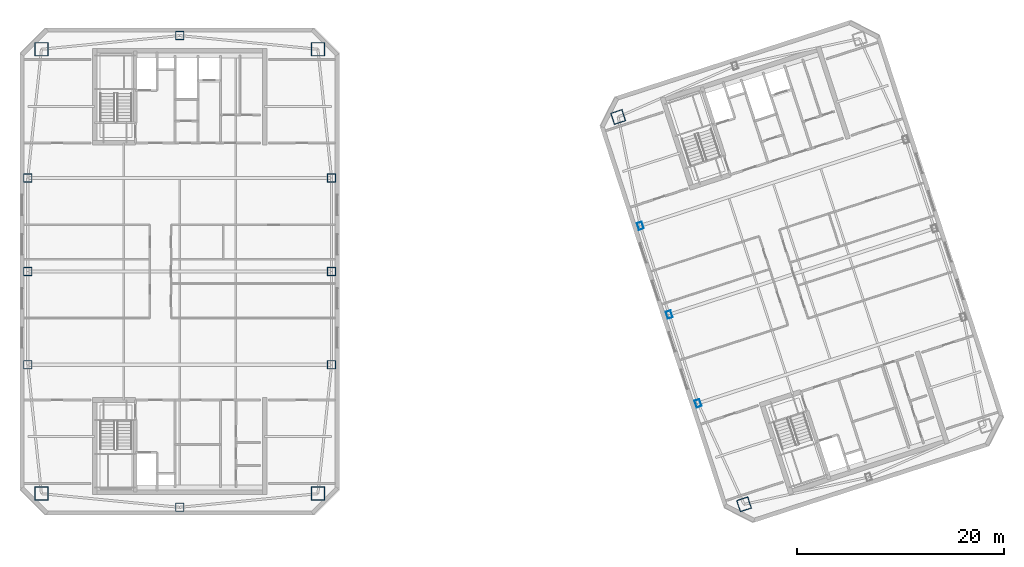
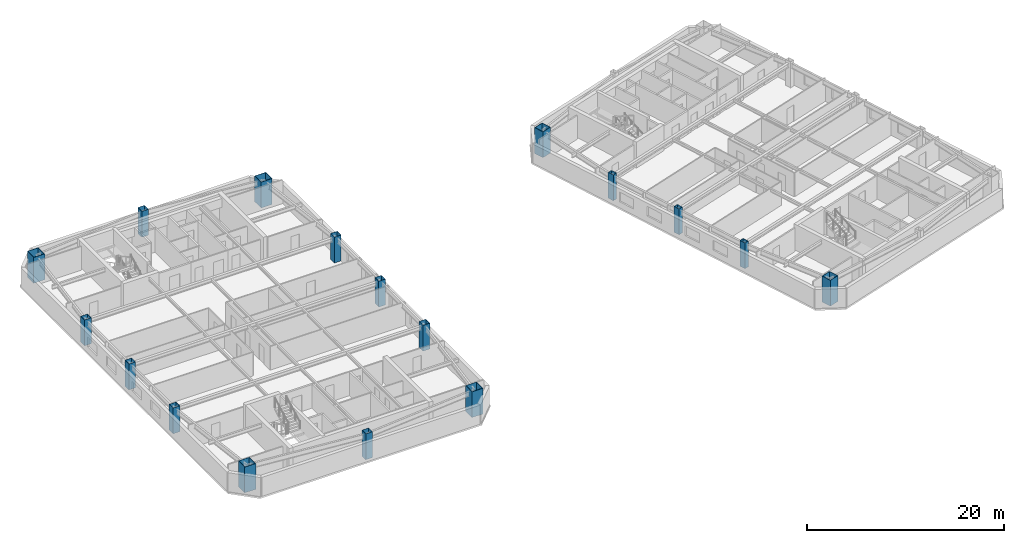
# One storey, part 1 of 13: 17 columns.
"""IFC4 building model written with IfcOpenShell, lengths in metres."""

import ifcopenshell
import ifcopenshell.guid

model = None  # the IFC model being written
_history = None  # IfcOwnerHistory: only IFC2X3 demands one
_inside = {}  # id of a spatial element -> (the spatial element, [elements in it])
_under = {}  # id of a project, library or spatial element -> (it, [spatial elements below it])
_declared = {}  # id of a project -> (the project, [libraries it declares])
_typed = {}  # id of a type object -> (the type object, [elements of that type])
_made_of = {}  # id of a material, layer set ... -> (it, [elements and type objects made of it])


def new_model(schema):
    """Start an empty IFC model of exactly this schema.

    Asked for "IFC4X3", IfcOpenShell would pick the latest addendum, in which some entities
    have other attributes; the version numbers below select the first issue.
    IFC2X3 requires an IfcOwnerHistory on every rooted entity: one is made here for all.
    """
    global model, _history
    if schema == "IFC4X3":
        model = ifcopenshell.file(schema_version=(4, 3, 0, 0))
    else:
        model = ifcopenshell.file(schema=schema)
    _inside.clear()
    _under.clear()
    _declared.clear()
    _typed.clear()
    _made_of.clear()
    _history = None
    if model.schema == "IFC2X3":
        org = make("IfcOrganization", Name="unknown")
        user = make(
            "IfcPersonAndOrganization",
            ThePerson=make("IfcPerson", FamilyName="unknown"),
            TheOrganization=org,
        )
        app = make(
            "IfcApplication",
            ApplicationDeveloper=org,
            Version="unknown",
            ApplicationFullName="unknown",
            ApplicationIdentifier="unknown",
        )
        _history = make(
            "IfcOwnerHistory",
            OwningUser=user,
            OwningApplication=app,
            ChangeAction="ADDED",
            CreationDate=0,
        )
    return model


def make(cls, **values):
    """One entity of the class cls with the attributes given. An attribute that is None is left unset."""
    return model.create_entity(
        cls, **{name: value for name, value in values.items() if value is not None}
    )


def rooted(cls, **values):
    """An entity with a GlobalId (a new one), such as an element, a storey or a relation."""
    return make(cls, GlobalId=ifcopenshell.guid.new(), OwnerHistory=_history, **values)


def si_unit(unit_type, name, prefix=None):
    """IfcSIUnit, for example si_unit("LENGTHUNIT", "METRE", prefix="MILLI")."""
    return make("IfcSIUnit", UnitType=unit_type, Prefix=prefix, Name=name)


def assignment(units):
    """IfcUnitAssignment: the units of a project."""
    return None if units is None else make("IfcUnitAssignment", Units=units)


def point(xyz):
    """IfcCartesianPoint."""
    return None if xyz is None else make("IfcCartesianPoint", Coordinates=xyz)


def direction(xyz):
    """IfcDirection."""
    return None if xyz is None else make("IfcDirection", DirectionRatios=xyz)


def frame(location, z_axis=None, x_axis=None):
    """IfcAxis2Placement3D, a coordinate frame: its origin and axes. An axis left out is left unset."""
    return make(
        "IfcAxis2Placement3D",
        Location=point(location),
        Axis=direction(z_axis),
        RefDirection=direction(x_axis),
    )


def frame_2d(location, x_axis=None):
    """IfcAxis2Placement2D, a coordinate frame in the plane: its origin and x axis."""
    return make(
        "IfcAxis2Placement2D", Location=point(location), RefDirection=direction(x_axis)
    )


def origin():
    """The frame at (0, 0, 0) with its axes left unset."""
    return frame((0.0, 0.0, 0.0))


def origin_2d():
    """The frame at (0, 0) in the plane with its x axis left unset."""
    return frame_2d((0.0, 0.0))


def place(relative_to, where):
    """IfcLocalPlacement: puts the frame where relative to a parent placement (None: the world)."""
    return make(
        "IfcLocalPlacement", PlacementRelTo=relative_to, RelativePlacement=where
    )


def context(
    kind, dimensions, precision=None, world=None, true_north=None, identifier=None
):
    """IfcGeometricRepresentationContext, for example the 3D "Model" context."""
    return make(
        "IfcGeometricRepresentationContext",
        ContextIdentifier=identifier,
        ContextType=kind,
        CoordinateSpaceDimension=dimensions,
        Precision=precision,
        WorldCoordinateSystem=world,
        TrueNorth=true_north,
    )


def subcontext(parent, identifier, kind, view, scale=None):
    """IfcGeometricRepresentationSubContext, for example "Body" below "Model"."""
    return make(
        "IfcGeometricRepresentationSubContext",
        ContextIdentifier=identifier,
        ContextType=kind,
        ParentContext=parent,
        TargetScale=scale,
        TargetView=view,
    )


def project(units=None, contexts=None):
    """IfcProject with its units and contexts."""
    return rooted(
        "IfcProject",
        Name="project",
        RepresentationContexts=contexts,
        UnitsInContext=assignment(units),
    )


def spatial(cls, under=None, at=None, **own):
    """A site, building, storey or space (cls), placed at a placement, below another one or the project."""
    s = rooted(cls, ObjectPlacement=at, **own)
    if under is not None:
        _under.setdefault(under.id(), (under, []))[1].append(s)
    return s


def profile(cls, at=None, kind="AREA", **sizes):
    """A parametric profile (cls). Its sizes go by their IFC names, for example OverallWidth=200.0."""
    return make(cls, ProfileType=kind, Position=at, **sizes)


def hollow_rectangle(**sizes):
    """IfcRectangleHollowProfileDef."""
    return profile("IfcRectangleHollowProfileDef", **sizes)


def extrude(swept, where, along, depth):
    """IfcExtrudedAreaSolid: the profile swept, set in the frame where, extruded along a direction by depth."""
    return make(
        "IfcExtrudedAreaSolid",
        SweptArea=swept,
        Position=where,
        ExtrudedDirection=direction(along),
        Depth=depth,
    )


def shape(context_of_items, identifier, shape_type, items):
    """IfcShapeRepresentation: the items that make up one representation, for example the "Body"."""
    return make(
        "IfcShapeRepresentation",
        ContextOfItems=context_of_items,
        RepresentationIdentifier=identifier,
        RepresentationType=shape_type,
        Items=items,
    )


def material(Name=None, Category=None):
    """IfcMaterial."""
    return make("IfcMaterial", Name=Name, Category=Category)


def material_profile(
    of_material, cross_section, Name=None, Category=None, Priority=None
):
    """IfcMaterialProfile: a cross section and its material."""
    return make(
        "IfcMaterialProfile",
        Name=Name,
        Material=of_material,
        Profile=cross_section,
        Priority=Priority,
        Category=Category,
    )


def profile_set(profiles, Name=None, composite=None):
    """IfcMaterialProfileSet."""
    return make(
        "IfcMaterialProfileSet",
        Name=Name,
        MaterialProfiles=profiles,
        CompositeProfile=composite,
    )


def made_of(thing, what):
    """Note that an element or type object is made of a material, layer set ...; save() writes the relation."""
    if what is not None:
        _made_of.setdefault(what.id(), (what, []))[1].append(thing)
    return thing


def type_object(cls, material=None, **own):
    """A type object (cls), such as IfcWallType, which elements share."""
    return made_of(rooted(cls, **own), material)


def element(
    cls,
    number,
    at=None,
    inside=None,
    cuts=None,
    type_object=None,
    material=None,
    context=None,
    identifier="Body",
    shape_type=None,
    held_by="IfcProductDefinitionShape",
    body=None,
    shapes=None,
    **own,
):
    """One element of the class cls, such as IfcWall. Its Tag is "e" and its number.

    at: its placement. inside: the storey or other place that contains it. cuts: it is an
    opening in that element (IfcRelVoidsElement). A single representation is given by context,
    identifier, shape_type and body (its items); several are given by shapes. held_by: the class
    of the entity that holds the representations. save() writes the other relations.
    """
    e = rooted(cls, Tag="e%d" % number, ObjectPlacement=at, **own)
    if body is not None:
        shapes = [shape(context, identifier, shape_type, body)]
    if shapes is not None:
        e.Representation = make(held_by, Representations=shapes)
    if inside is not None:
        _inside.setdefault(inside.id(), (inside, []))[1].append(e)
    if cuts is not None:
        rooted(
            "IfcRelVoidsElement", RelatingBuildingElement=cuts, RelatedOpeningElement=e
        )
    if type_object is not None:
        _typed.setdefault(type_object.id(), (type_object, []))[1].append(e)
    return made_of(e, material)


def aggregate(whole, parts):
    """IfcRelAggregates: a whole, such as a stair, and the parts it consists of."""
    return rooted("IfcRelAggregates", RelatingObject=whole, RelatedObjects=parts)


def save(model, path):
    """Write the relations noted so far, then the file.

    IfcRelAggregates (storeys below a building ...), IfcRelContainedInSpatialStructure (elements
    in a storey), IfcRelDefinesByType, IfcRelAssociatesMaterial and IfcRelDeclares: one each for
    every whole, place, type object, material and project.
    """
    for whole, parts in _under.values():
        aggregate(whole, parts)
    for where, things in _inside.values():
        rooted(
            "IfcRelContainedInSpatialStructure",
            RelatedElements=things,
            RelatingStructure=where,
        )
    for kind, things in _typed.values():
        rooted("IfcRelDefinesByType", RelatedObjects=things, RelatingType=kind)
    for what, things in _made_of.values():
        rooted("IfcRelAssociatesMaterial", RelatedObjects=things, RelatingMaterial=what)
    for by, libraries in _declared.values():
        rooted("IfcRelDeclares", RelatingContext=by, RelatedDefinitions=libraries)
    model.write(path)


model = new_model("IFC4")

# Units and contexts
model_context = context("Model", 3, precision=1e-05, world=origin(), true_north=direction((0.0, 1.0)))
body_context = subcontext(model_context, "Body", "Model", "MODEL_VIEW")
ifc_project = project(units=[si_unit("LENGTHUNIT", "METRE"), si_unit("AREAUNIT", "SQUARE_METRE"), si_unit("VOLUMEUNIT", "CUBIC_METRE"), si_unit("PLANEANGLEUNIT", "RADIAN"), si_unit("MASSUNIT", "GRAM", prefix="KILO")], contexts=[model_context])

# Site, building, storey
site_placement = place(None, origin())
site = spatial("IfcSite", under=ifc_project, at=site_placement, CompositionType="ELEMENT")
building_placement = place(site_placement, origin())
building = spatial("IfcBuilding", under=site, at=building_placement, Name="Qiaolan Cultural Towers", CompositionType="ELEMENT")
storey_placement = place(building_placement, frame((0.0, 0.0, 234.39990234375)))
storey = spatial("IfcBuildingStorey", under=building, at=storey_placement, Name="L63", CompositionType="ELEMENT", Elevation=234.39990234375)

# Columns
ifc_material_1 = material(Name="Steel Q390GJB", Category="steel")
ifc_material_profile_1 = material_profile(ifc_material_1, hollow_rectangle(XDim=1.14990234375, YDim=1.14990234375, WallThickness=0.0400390625, at=origin_2d()), Name="BOX1150x1150x40")
ifc_profile_set_1 = profile_set([ifc_material_profile_1], Name="Steel Q390GJB")
column_type_1 = type_object("IfcColumnType", Name="COL-BOX1150x1150x40", PredefinedType="COLUMN", material=ifc_profile_set_1)
for number, where, z_axis, x_axis, name in (
    (1, (84.42822265625, 11.538818359375, 0.0), (0.0, 0.0, 1.0), (0.951056516295, 0.309016994375, 0.0), "L63 T2 Perimeter Column MC-SW"),
    (2, (72.2900390625, 48.896484375, 0.0), (0.0, 0.0, 1.0), (0.951056516295, 0.309016994375, 0.0), "L63 T2 Perimeter Column MC-NW"),
):
    element("IfcColumn", number, at=place(storey_placement, frame(where, z_axis=z_axis, x_axis=x_axis)), inside=storey, type_object=column_type_1, Name=name, PredefinedType="COLUMN", context=body_context, shape_type="SweptSolid", body=[
        extrude(hollow_rectangle(XDim=1.14990234375, YDim=1.14990234375, WallThickness=0.0400390625, at=origin_2d()), origin(), (0.0, 0.0, 1.0), 3.201171875),
    ])
ifc_material_2 = material(Name="Steel Q390GJB", Category="steel")
ifc_material_profile_2 = material_profile(ifc_material_2, hollow_rectangle(XDim=1.300048828125, YDim=1.300048828125, WallThickness=0.044921875, at=origin_2d()), Name="BOX1300x1300x45")
ifc_profile_set_2 = profile_set([ifc_material_profile_2], Name="Steel Q390GJB")
column_type_2 = type_object("IfcColumnType", Name="COL-BOX1300x1300x45", PredefinedType="COLUMN", material=ifc_profile_set_2)
for number, where, z_axis, x_axis, name in (
    (3, (16.669921875, 12.570068359375, 0.0), (0.0, 0.0, 1.0), (1.0, 0.0, 0.0), "L63 T1 Perimeter Column MC-SW"),
    (4, (43.330078125, 12.570068359375, 0.0), (0.0, 0.0, 1.0), (1.0, 0.0, 0.0), "L63 T1 Perimeter Column MC-SE"),
    (5, (43.330078125, 55.429931640625, 0.0), (0.0, 0.0, 1.0), (1.0, 0.0, 0.0), "L63 T1 Perimeter Column MC-NE"),
    (6, (16.669921875, 55.429931640625, 0.0), (0.0, 0.0, 1.0), (1.0, 0.0, 0.0), "L63 T1 Perimeter Column MC-NW"),
):
    element("IfcColumn", number, at=place(storey_placement, frame(where, z_axis=z_axis, x_axis=x_axis)), inside=storey, type_object=column_type_2, Name=name, PredefinedType="COLUMN", context=body_context, shape_type="SweptSolid", body=[
        extrude(hollow_rectangle(XDim=1.300048828125, YDim=1.300048828125, WallThickness=0.044921875, at=origin_2d()), origin(), (0.0, 0.0, 1.0), 3.201171875),
    ])
ifc_material_3 = material(Name="Steel Q355B", Category="steel")
ifc_material_profile_3 = material_profile(ifc_material_3, hollow_rectangle(XDim=0.5, YDim=0.699951171875, WallThickness=0.02490234375, at=origin_2d()), Name="BOX700x500x25")
ifc_profile_set_3 = profile_set([ifc_material_profile_3], Name="Steel Q355B")
column_type_3 = type_object("IfcColumnType", Name="COL-BOX700x500x25", PredefinedType="COLUMN", material=ifc_profile_set_3)
for number, where, z_axis, x_axis, name in (
    (7, (79.989501953125, 21.2841796875, 0.0), (0.0, 0.0, 1.0), (0.951056516295, 0.309016994375, 0.0), "L63 T2 Perimeter Column PC-W1"),
    (8, (77.208251953125, 29.84375, 0.0), (0.0, 0.0, 1.0), (0.951056516295, 0.309016994375, 0.0), "L63 T2 Perimeter Column PC-W2"),
    (9, (74.42724609375, 38.4033203125, 0.0), (0.0, 0.0, 1.0), (0.951056516295, 0.309016994375, 0.0), "L63 T2 Perimeter Column PC-W3"),
):
    element("IfcColumn", number, at=place(storey_placement, frame(where, z_axis=z_axis, x_axis=x_axis)), inside=storey, type_object=column_type_3, Name=name, PredefinedType="COLUMN", context=body_context, shape_type="SweptSolid", body=[
        extrude(hollow_rectangle(XDim=0.5, YDim=0.699951171875, WallThickness=0.02490234375, at=origin_2d()), origin(), (0.0, 0.0, 1.0), 3.201171875),
    ])
ifc_material_4 = material(Name="Steel Q355B", Category="steel")
ifc_material_profile_4 = material_profile(ifc_material_4, hollow_rectangle(XDim=0.800048828125, YDim=0.800048828125, WallThickness=0.028076171875, at=origin_2d()), Name="BOX800x800x28")
ifc_profile_set_4 = profile_set([ifc_material_profile_4], Name="Steel Q355B")
column_type_4 = type_object("IfcColumnType", Name="COL-BOX800x800x28", PredefinedType="COLUMN", material=ifc_profile_set_4)
for number, where, z_axis, x_axis, name in (
    (10, (15.35009765625, 25.0, 0.0), (0.0, 0.0, 1.0), (1.0, 0.0, 0.0), "L63 T1 Perimeter Column PC-W1"),
    (11, (15.35009765625, 34.0, 0.0), (0.0, 0.0, 1.0), (1.0, 0.0, 0.0), "L63 T1 Perimeter Column PC-W2"),
    (12, (15.35009765625, 43.0, 0.0), (0.0, 0.0, 1.0), (1.0, 0.0, 0.0), "L63 T1 Perimeter Column PC-W3"),
    (13, (44.64990234375, 25.0, 0.0), (0.0, 0.0, 1.0), (1.0, 0.0, 0.0), "L63 T1 Perimeter Column PC-E1"),
    (14, (44.64990234375, 34.0, 0.0), (0.0, 0.0, 1.0), (1.0, 0.0, 0.0), "L63 T1 Perimeter Column PC-E2"),
    (15, (44.64990234375, 43.0, 0.0), (0.0, 0.0, 1.0), (1.0, 0.0, 0.0), "L63 T1 Perimeter Column PC-E3"),
    (16, (30.0, 11.25, 0.0), (0.0, 0.0, 1.0), (1.0, 0.0, 0.0), "L63 T1 Perimeter Column PC-S0"),
    (17, (30.0, 56.75, 0.0), (0.0, 0.0, 1.0), (1.0, 0.0, 0.0), "L63 T1 Perimeter Column PC-N0"),
):
    element("IfcColumn", number, at=place(storey_placement, frame(where, z_axis=z_axis, x_axis=x_axis)), inside=storey, type_object=column_type_4, Name=name, PredefinedType="COLUMN", context=body_context, shape_type="SweptSolid", body=[
        extrude(hollow_rectangle(XDim=0.800048828125, YDim=0.800048828125, WallThickness=0.028076171875, at=origin_2d()), origin(), (0.0, 0.0, 1.0), 3.201171875),
    ])

save(model, "model.ifc")
